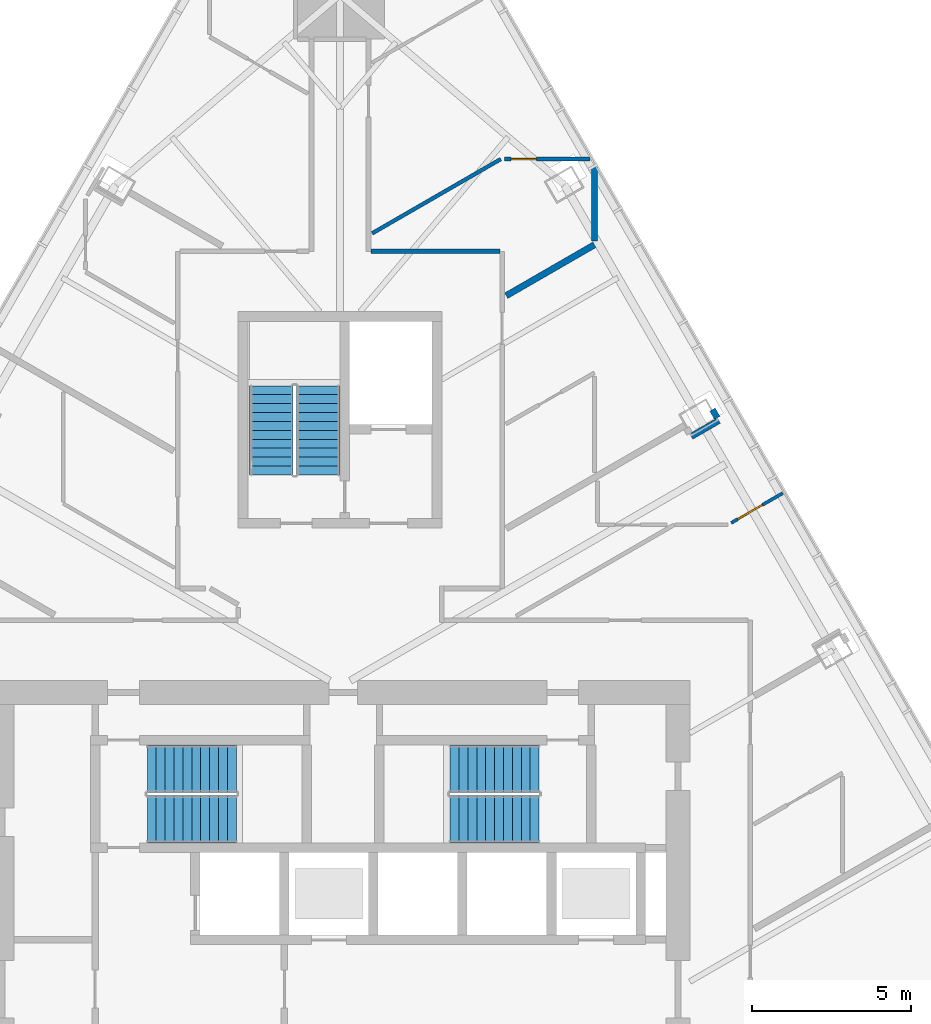
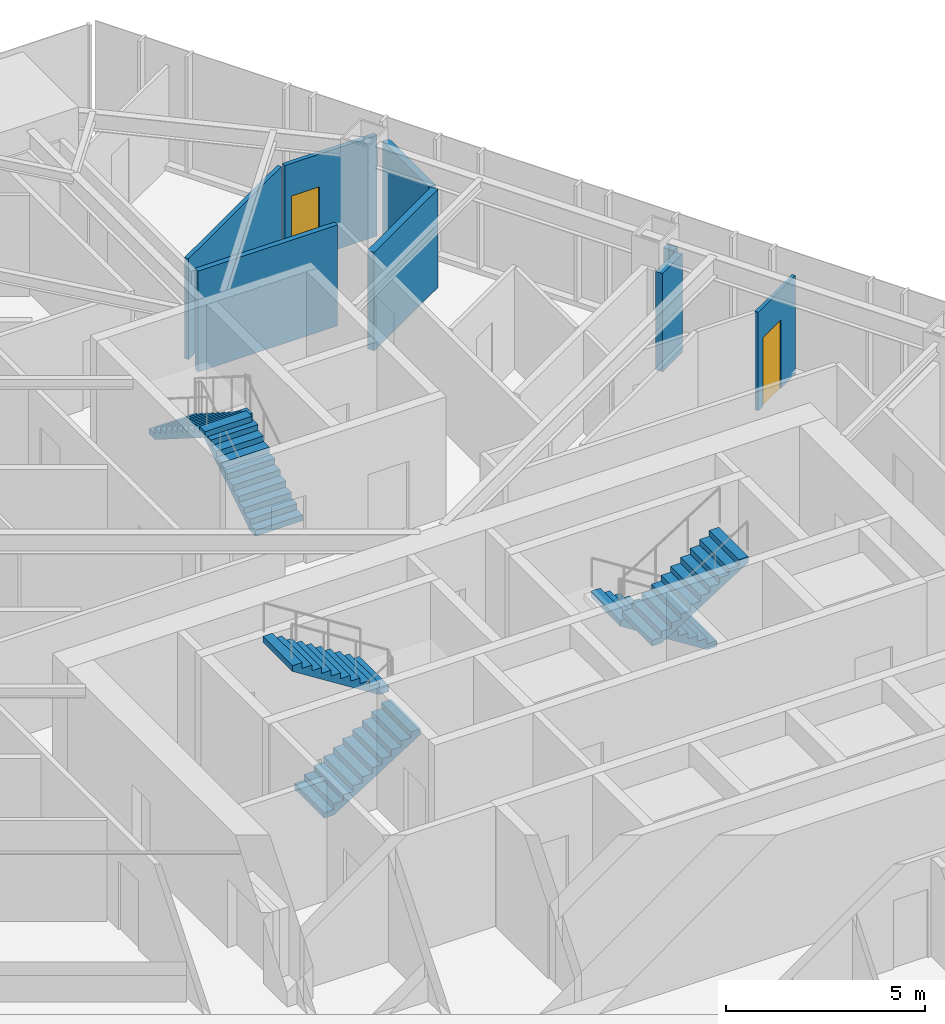
# One storey, part 17 of 19: 8 walls, 6 stair flights, 2 doors, 2 openings, 3 elements without a shape of their own.
"""IFC4 building model written with IfcOpenShell, lengths in metres."""

from ifc_helpers import new_model, si_unit, direction, frame, frame_2d, origin, place, context, subcontext, project, spatial, polyline, rectangle, outline, extrude, material, layer, layer_set, type_object, element, fill, aggregate, save


model = new_model("IFC4")

# Units and contexts
model_context = context("Model", 3, precision=1e-05, world=origin(), true_north=direction((0.0, 1.0)))
body_context = subcontext(model_context, "Body", "Model", "MODEL_VIEW")
ifc_project = project(units=[si_unit("LENGTHUNIT", "METRE"), si_unit("AREAUNIT", "SQUARE_METRE"), si_unit("VOLUMEUNIT", "CUBIC_METRE"), si_unit("PLANEANGLEUNIT", "RADIAN"), si_unit("MASSUNIT", "GRAM", prefix="KILO")], contexts=[model_context])

# Site, building, storey
site_placement = place(None, origin())
site = spatial("IfcSite", under=ifc_project, at=site_placement, CompositionType="ELEMENT")
building_placement = place(site_placement, origin())
building = spatial("IfcBuilding", under=site, at=building_placement, Name="Firuza Gate Tower and Library", CompositionType="ELEMENT")
storey_placement = place(building_placement, frame((0.0, 0.0, 210.39990234375)))
storey = spatial("IfcBuildingStorey", under=building, at=storey_placement, Name="L49", CompositionType="ELEMENT", Elevation=210.39990234375)

# Walls
ifc_material_1 = material(Name="Gypsum board partition")
ifc_layer_1 = layer(ifc_material_1, 0.14990234375)
ifc_layer_set_1 = layer_set([ifc_layer_1], Name="Corridor wall 150 double board on steel studs")
wall_type_1 = type_object("IfcWallType", Name="Corridor wall 150 double board on steel studs", PredefinedType="PARTITIONING", material=ifc_layer_set_1)
wall_1_placement = place(storey_placement, frame((75.97509765625, 96.5, 0.0), z_axis=(0.0, 0.0, 1.0), x_axis=(1.0, 0.0, 0.0)))
element("IfcWall", 1, at=wall_1_placement, inside=storey, type_object=wall_type_1, Name="f:L49:w015", PredefinedType="PARTITIONING", context=body_context, shape_type="SweptSolid", body=[
    extrude(rectangle(XDim=4.04931640625, YDim=0.14990234375, at=frame_2d((2.024658203125, 0.0))), origin(), (0.0, 0.0, 1.0), 3.10009765625),
])
ifc_material_2 = material(Name="Gypsum board partition")
ifc_layer_2 = layer(ifc_material_2, 0.199951171875)
ifc_layer_set_2 = layer_set([ifc_layer_2], Name="Demising wall 200 acoustic double stud")
wall_type_2 = type_object("IfcWallType", Name="Demising wall 200 acoustic double stud", PredefinedType="PARTITIONING", material=ifc_layer_set_2)
wall_2_placement = place(storey_placement, frame((86.04345703125, 90.67822265625, 0.0), z_axis=(0.0, 0.0, 1.0), x_axis=(0.866039090965, 0.499976292358, 0.0)))
element("IfcWall", 2, at=wall_2_placement, inside=storey, type_object=wall_type_2, Name="f:L49:w037", PredefinedType="PARTITIONING", context=body_context, shape_type="SweptSolid", body=[
    extrude(rectangle(XDim=0.9990234375, YDim=0.199951171875, at=frame_2d((0.49951171875, 0.0))), origin(), (0.0, 0.0, 1.0), 3.022216796875),
])
wall_3_placement = place(storey_placement, frame((80.22705078125, 95.10400390625, 0.0), z_axis=(0.0, 0.0, 1.0), x_axis=(0.866029421769, 0.499993040581, 0.0)))
element("IfcWall", 3, at=wall_3_placement, inside=storey, type_object=wall_type_2, Name="f:L49:w040", PredefinedType="PARTITIONING", context=body_context, shape_type="SweptSolid", body=[
    extrude(rectangle(XDim=3.2021484375, YDim=0.199951171875, at=frame_2d((1.60107421875, 0.0))), origin(), (0.0, 0.0, 1.0), 3.022216796875),
])
wall_4_placement = place(storey_placement, frame((83.0, 96.82080078125, 0.0), z_axis=(0.0, 0.0, 1.0), x_axis=(0.0, 1.0, 0.0)))
element("IfcWall", 4, at=wall_4_placement, inside=storey, type_object=wall_type_2, Name="f:L49:w061", PredefinedType="PARTITIONING", context=body_context, shape_type="SweptSolid", body=[
    extrude(rectangle(XDim=2.327880859375, YDim=0.199951171875, at=frame_2d((1.1640625, 0.0))), origin(), (0.0, 0.0, 1.0), 3.022216796875),
])
wall_5_placement = place(storey_placement, frame((86.858642578125, 91.264404296875, 0.0), z_axis=(0.0, 0.0, 1.0), x_axis=(-0.500264001326, 0.865872928886, 0.0)))
element("IfcWall", 5, at=wall_5_placement, inside=storey, type_object=wall_type_2, Name="f:L49:w089", PredefinedType="PARTITIONING", context=body_context, shape_type="SweptSolid", body=[
    extrude(rectangle(XDim=0.299072265625, YDim=0.199951171875, at=frame_2d((0.1494140625, 0.0))), origin(), (0.0, 0.0, 1.0), 3.10009765625),
])

# Wall, opening, door
ifc_material_3 = material(Name="Gypsum board partition")
ifc_layer_3 = layer(ifc_material_3, 0.10009765625)
ifc_layer_set_3 = layer_set([ifc_layer_3], Name="Partition 100 gypsum board on steel studs")
wall_type_3 = type_object("IfcWallType", Name="Partition 100 gypsum board on steel studs", PredefinedType="PARTITIONING", material=ifc_layer_set_3)
wall_6_placement = place(storey_placement, frame((87.30078125, 87.959716796875, 0.0), z_axis=(0.0, 0.0, 1.0), x_axis=(0.866000772924, 0.500042659475, 0.0)))
wall_6 = element("IfcWall", 6, at=wall_6_placement, inside=storey, type_object=wall_type_3, Name="f:L49:w035", PredefinedType="PARTITIONING", context=body_context, shape_type="SweptSolid", body=[
    extrude(rectangle(XDim=1.869873046875, YDim=0.10009765625, at=frame_2d((0.93505859375, 0.0))), origin(), (0.0, 0.0, 1.0), 3.022216796875),
])
opening_1_placement = place(wall_6_placement, frame((0.23486328125, 0.0, 0.0)))
opening_1 = element("IfcOpeningElement", 7, at=opening_1_placement, cuts=wall_6, Name="Opening L49-27", PredefinedType="OPENING", context=body_context, shape_type="SweptSolid", body=[
    extrude(rectangle(XDim=0.89990234375, YDim=2.10009765625, at=frame_2d((0.449951171875, 1.050048828125))), frame((0.0, 0.06005859375, 0.0), z_axis=(0.0, -1.0, 0.0), x_axis=(1.0, 0.0, 0.0)), (0.0, 0.0, 1.0), 0.1201171875),
])
ifc_material_4 = material(Name="Timber door", Category="wood")
door_type_1 = type_object("IfcDoorType", Name="Door 900 x 2100 timber leaf", OperationType="NOTDEFINED", PredefinedType="DOOR", material=ifc_material_4)
door_1_placement = place(opening_1_placement, origin())
door_1 = element("IfcDoor", 8, at=door_1_placement, inside=storey, type_object=door_type_1, Name="f:L49:d027", OperationType="SINGLE_SWING_LEFT", OverallHeight=2.10009765625, OverallWidth=0.89990234375, PredefinedType="DOOR", context=body_context, shape_type="SweptSolid", body=[
    extrude(rectangle(XDim=0.89990234375, YDim=2.10009765625, at=frame_2d((0.449951171875, 1.050048828125))), frame((0.0, 0.02490234375, 0.0), z_axis=(0.0, -1.0, 0.0), x_axis=(1.0, 0.0, 0.0)), (0.0, 0.0, 1.0), 0.050048828125),
])
fill(opening_1, door_1)

ifc_material_5 = material(Name="Gypsum board partition")
ifc_layer_4 = layer(ifc_material_5, 0.1201171875)
ifc_layer_set_4 = layer_set([ifc_layer_4], Name="Wet-area partition 120 moisture-resistant board")
wall_type_4 = type_object("IfcWallType", Name="Wet-area partition 120 moisture-resistant board", PredefinedType="PARTITIONING", material=ifc_layer_set_4)
wall_7_placement = place(storey_placement, frame((82.85498046875, 99.39990234375, 0.0), z_axis=(0.0, 0.0, 1.0), x_axis=(-1.0, 0.0, 0.0)))
wall_7 = element("IfcWall", 9, at=wall_7_placement, inside=storey, type_object=wall_type_4, Name="f:L49:w016", PredefinedType="PARTITIONING", context=body_context, shape_type="SweptSolid", body=[
    extrude(rectangle(XDim=2.677734375, YDim=0.1201171875, at=frame_2d((1.3388671875, 0.0))), origin(), (0.0, 0.0, 1.0), 3.10009765625),
])
opening_2_placement = place(wall_7_placement, frame((1.677490234375, 0.0, 0.0)))
opening_2 = element("IfcOpeningElement", 10, at=opening_2_placement, cuts=wall_7, Name="Opening L49-15", PredefinedType="OPENING", context=body_context, shape_type="SweptSolid", body=[
    extrude(rectangle(XDim=0.800048828125, YDim=2.10009765625, at=frame_2d((0.39990234375, 1.050048828125))), frame((0.0, 0.070068359375, 0.0), z_axis=(0.0, -1.0, 0.0), x_axis=(1.0, 0.0, 0.0)), (0.0, 0.0, 1.0), 0.14013671875),
])
ifc_material_6 = material(Name="Timber door", Category="wood")
door_type_2 = type_object("IfcDoorType", Name="Door 800 x 2100 timber leaf", OperationType="NOTDEFINED", PredefinedType="DOOR", material=ifc_material_6)
door_2_placement = place(opening_2_placement, origin())
door_2 = element("IfcDoor", 11, at=door_2_placement, inside=storey, type_object=door_type_2, Name="f:L49:d015", OperationType="SINGLE_SWING_LEFT", OverallHeight=2.10009765625, OverallWidth=0.800048828125, PredefinedType="DOOR", context=body_context, shape_type="SweptSolid", body=[
    extrude(rectangle(XDim=0.800048828125, YDim=2.10009765625, at=frame_2d((0.39990234375, 1.050048828125))), frame((0.0, 0.02490234375, 0.0), z_axis=(0.0, -1.0, 0.0), x_axis=(1.0, 0.0, 0.0)), (0.0, 0.0, 1.0), 0.050048828125),
])
fill(opening_2, door_2)

# Wall
wall_8_placement = place(storey_placement, frame((76.009765625, 97.06298828125, 0.0), z_axis=(0.0, 0.0, 1.0), x_axis=(0.866045536992, 0.499965126639, 0.0)))
element("IfcWall", 12, at=wall_8_placement, inside=storey, type_object=wall_type_4, Name="f:L49:w041", PredefinedType="PARTITIONING", context=body_context, shape_type="SweptSolid", body=[
    extrude(rectangle(XDim=4.673583984375, YDim=0.1201171875, at=frame_2d((2.3369140625, 0.0))), origin(), (0.0, 0.0, 1.0), 3.10009765625),
])

# Stair, stair flights
ifc_material_7 = material(Name="Concrete C35/45", Category="concrete")
stair_type_1 = type_object("IfcStairType", Name="Exit stair ST16", PredefinedType="HALF_TURN_STAIR", material=ifc_material_7)
placement = place(storey_placement, origin())
stair_1 = element("IfcStair", 13, at=placement, inside=storey, type_object=stair_type_1, Name="L49 Stair ST3", PredefinedType="HALF_TURN_STAIR")
ifc_material_8 = material(Name="Concrete C35/45", Category="concrete")
stair_flight_type_1 = type_object("IfcStairFlightType", Name="Stair flight 11 risers 177.3 width 1370", PredefinedType="STRAIGHT", material=ifc_material_8)
stair_flight_1_placement = place(storey_placement, frame((74.31494140625, 89.469970703125, 0.0), z_axis=(0.0, 0.0, 1.0), x_axis=(0.0, 1.0, 0.0)))
stair_flight_1 = element("IfcStairFlight", 14, at=stair_flight_1_placement, type_object=stair_flight_type_1, Name="ST3 flight 1", NumberOfRisers=11, NumberOfTreads=10, PredefinedType="STRAIGHT", RiserHeight=0.177272727, TreadLength=0.28, context=body_context, shape_type="SweptSolid", body=[
    extrude(outline(polyline([(0.0, 0.0), (0.0, 0.17724609375), (0.280029296875, 0.17724609375), (0.280029296875, 0.3544921875), (0.56005859375, 0.3544921875), (0.56005859375, 0.53173828125), (0.840087890625, 0.53173828125), (0.840087890625, 0.708984375), (1.1201171875, 0.708984375), (1.1201171875, 0.886474609375), (1.39990234375, 0.886474609375), (1.39990234375, 1.063720703125), (1.679931640625, 1.063720703125), (1.679931640625, 1.240966796875), (1.9599609375, 1.240966796875), (1.9599609375, 1.418212890625), (2.239990234375, 1.418212890625), (2.239990234375, 1.595458984375), (2.52001953125, 1.595458984375), (2.52001953125, 1.772705078125), (2.800048828125, 1.772705078125), (2.800048828125, 1.949951171875), (2.800048828125, 1.59521484375), (0.2802734375, 0.0), (0.0, 0.0)])), frame((0.0, 0.68505859375, 0.0), z_axis=(0.0, -1.0, 0.0), x_axis=(1.0, 0.0, 0.0)), (0.0, 0.0, 1.0), 1.3701171875),
])
stair_flight_2_placement = place(storey_placement, frame((72.844970703125, 92.27001953125, 1.9501953125), z_axis=(0.0, 0.0, 1.0), x_axis=(0.0, -1.0, 0.0)))
stair_flight_2 = element("IfcStairFlight", 15, at=stair_flight_2_placement, type_object=stair_flight_type_1, Name="ST3 flight 2", NumberOfRisers=11, NumberOfTreads=10, PredefinedType="STRAIGHT", RiserHeight=0.177272727, TreadLength=0.28, context=body_context, shape_type="SweptSolid", body=[
    extrude(outline(polyline([(0.0, 0.0), (0.0, 0.17724609375), (0.280029296875, 0.17724609375), (0.280029296875, 0.3544921875), (0.56005859375, 0.3544921875), (0.56005859375, 0.53173828125), (0.840087890625, 0.53173828125), (0.840087890625, 0.708984375), (1.1201171875, 0.708984375), (1.1201171875, 0.886474609375), (1.39990234375, 0.886474609375), (1.39990234375, 1.063720703125), (1.679931640625, 1.063720703125), (1.679931640625, 1.240966796875), (1.9599609375, 1.240966796875), (1.9599609375, 1.418212890625), (2.239990234375, 1.418212890625), (2.239990234375, 1.595458984375), (2.52001953125, 1.595458984375), (2.52001953125, 1.772705078125), (2.800048828125, 1.772705078125), (2.800048828125, 1.949951171875), (2.800048828125, 1.59521484375), (0.2802734375, 0.0), (0.0, 0.0)])), frame((0.0, 0.68505859375, 0.0), z_axis=(0.0, -1.0, 0.0), x_axis=(1.0, 0.0, 0.0)), (0.0, 0.0, 1.0), 1.3701171875),
])
aggregate(stair_1, [stair_flight_1, stair_flight_2])

ifc_material_9 = material(Name="Concrete C35/45", Category="concrete")
stair_type_2 = type_object("IfcStairType", Name="Exit stair ST7", PredefinedType="HALF_TURN_STAIR", material=ifc_material_9)
stair_2 = element("IfcStair", 16, at=placement, inside=storey, type_object=stair_type_2, Name="L49 Stair ST1", PredefinedType="HALF_TURN_STAIR")
ifc_material_10 = material(Name="Concrete C35/45", Category="concrete")
stair_flight_type_2 = type_object("IfcStairFlightType", Name="Stair flight 11 risers 177.3 width 1490", PredefinedType="STRAIGHT", material=ifc_material_10)
stair_flight_3_placement = place(storey_placement, frame((68.93994140625, 78.64501953125, 0.0), z_axis=(0.0, 0.0, 1.0), x_axis=(1.0, 0.0, 0.0)))
stair_flight_3 = element("IfcStairFlight", 17, at=stair_flight_3_placement, type_object=stair_flight_type_2, Name="ST1 flight 1", NumberOfRisers=11, NumberOfTreads=10, PredefinedType="STRAIGHT", RiserHeight=0.177272727, TreadLength=0.28, context=body_context, shape_type="SweptSolid", body=[
    extrude(outline(polyline([(0.0, 0.0), (0.0, 0.17724609375), (0.280029296875, 0.17724609375), (0.280029296875, 0.3544921875), (0.56005859375, 0.3544921875), (0.56005859375, 0.53173828125), (0.840087890625, 0.53173828125), (0.840087890625, 0.708984375), (1.1201171875, 0.708984375), (1.1201171875, 0.886474609375), (1.39990234375, 0.886474609375), (1.39990234375, 1.063720703125), (1.679931640625, 1.063720703125), (1.679931640625, 1.240966796875), (1.9599609375, 1.240966796875), (1.9599609375, 1.418212890625), (2.239990234375, 1.418212890625), (2.239990234375, 1.595458984375), (2.52001953125, 1.595458984375), (2.52001953125, 1.772705078125), (2.800048828125, 1.772705078125), (2.800048828125, 1.949951171875), (2.800048828125, 1.59521484375), (0.2802734375, 0.0), (0.0, 0.0)])), frame((0.0, 0.7451171875, 0.0), z_axis=(0.0, -1.0, 0.0), x_axis=(1.0, 0.0, 0.0)), (0.0, 0.0, 1.0), 1.489990234375),
])
stair_flight_4_placement = place(storey_placement, frame((71.739990234375, 80.235107421875, 1.9501953125), z_axis=(0.0, 0.0, 1.0), x_axis=(-1.0, 0.0, 0.0)))
stair_flight_4 = element("IfcStairFlight", 18, at=stair_flight_4_placement, type_object=stair_flight_type_2, Name="ST1 flight 2", NumberOfRisers=11, NumberOfTreads=10, PredefinedType="STRAIGHT", RiserHeight=0.177272727, TreadLength=0.28, context=body_context, shape_type="SweptSolid", body=[
    extrude(outline(polyline([(0.0, 0.0), (0.0, 0.17724609375), (0.280029296875, 0.17724609375), (0.280029296875, 0.3544921875), (0.56005859375, 0.3544921875), (0.56005859375, 0.53173828125), (0.840087890625, 0.53173828125), (0.840087890625, 0.708984375), (1.1201171875, 0.708984375), (1.1201171875, 0.886474609375), (1.39990234375, 0.886474609375), (1.39990234375, 1.063720703125), (1.679931640625, 1.063720703125), (1.679931640625, 1.240966796875), (1.9599609375, 1.240966796875), (1.9599609375, 1.418212890625), (2.239990234375, 1.418212890625), (2.239990234375, 1.595458984375), (2.52001953125, 1.595458984375), (2.52001953125, 1.772705078125), (2.800048828125, 1.772705078125), (2.800048828125, 1.949951171875), (2.800048828125, 1.59521484375), (0.2802734375, 0.0), (0.0, 0.0)])), frame((0.0, 0.7451171875, 0.0), z_axis=(0.0, -1.0, 0.0), x_axis=(1.0, 0.0, 0.0)), (0.0, 0.0, 1.0), 1.489990234375),
])
aggregate(stair_2, [stair_flight_3, stair_flight_4])

stair_3 = element("IfcStair", 19, at=placement, inside=storey, type_object=stair_type_2, Name="L49 Stair ST2", PredefinedType="HALF_TURN_STAIR")
stair_flight_5_placement = place(storey_placement, frame((81.260009765625, 80.235107421875, 0.0), z_axis=(0.0, 0.0, 1.0), x_axis=(-1.0, 0.0, 0.0)))
stair_flight_5 = element("IfcStairFlight", 20, at=stair_flight_5_placement, type_object=stair_flight_type_2, Name="ST2 flight 1", NumberOfRisers=11, NumberOfTreads=10, PredefinedType="STRAIGHT", RiserHeight=0.177272727, TreadLength=0.28, context=body_context, shape_type="SweptSolid", body=[
    extrude(outline(polyline([(0.0, 0.0), (0.0, 0.17724609375), (0.280029296875, 0.17724609375), (0.280029296875, 0.3544921875), (0.56005859375, 0.3544921875), (0.56005859375, 0.53173828125), (0.840087890625, 0.53173828125), (0.840087890625, 0.708984375), (1.1201171875, 0.708984375), (1.1201171875, 0.886474609375), (1.39990234375, 0.886474609375), (1.39990234375, 1.063720703125), (1.679931640625, 1.063720703125), (1.679931640625, 1.240966796875), (1.9599609375, 1.240966796875), (1.9599609375, 1.418212890625), (2.239990234375, 1.418212890625), (2.239990234375, 1.595458984375), (2.52001953125, 1.595458984375), (2.52001953125, 1.772705078125), (2.800048828125, 1.772705078125), (2.800048828125, 1.949951171875), (2.800048828125, 1.59521484375), (0.2802734375, 0.0), (0.0, 0.0)])), frame((0.0, 0.7451171875, 0.0), z_axis=(0.0, -1.0, 0.0), x_axis=(1.0, 0.0, 0.0)), (0.0, 0.0, 1.0), 1.489990234375),
])
stair_flight_6_placement = place(storey_placement, frame((78.4599609375, 78.64501953125, 1.9501953125), z_axis=(0.0, 0.0, 1.0), x_axis=(1.0, 0.0, 0.0)))
stair_flight_6 = element("IfcStairFlight", 21, at=stair_flight_6_placement, type_object=stair_flight_type_2, Name="ST2 flight 2", NumberOfRisers=11, NumberOfTreads=10, PredefinedType="STRAIGHT", RiserHeight=0.177272727, TreadLength=0.28, context=body_context, shape_type="SweptSolid", body=[
    extrude(outline(polyline([(0.0, 0.0), (0.0, 0.17724609375), (0.280029296875, 0.17724609375), (0.280029296875, 0.3544921875), (0.56005859375, 0.3544921875), (0.56005859375, 0.53173828125), (0.840087890625, 0.53173828125), (0.840087890625, 0.708984375), (1.1201171875, 0.708984375), (1.1201171875, 0.886474609375), (1.39990234375, 0.886474609375), (1.39990234375, 1.063720703125), (1.679931640625, 1.063720703125), (1.679931640625, 1.240966796875), (1.9599609375, 1.240966796875), (1.9599609375, 1.418212890625), (2.239990234375, 1.418212890625), (2.239990234375, 1.595458984375), (2.52001953125, 1.595458984375), (2.52001953125, 1.772705078125), (2.800048828125, 1.772705078125), (2.800048828125, 1.949951171875), (2.800048828125, 1.59521484375), (0.2802734375, 0.0), (0.0, 0.0)])), frame((0.0, 0.7451171875, 0.0), z_axis=(0.0, -1.0, 0.0), x_axis=(1.0, 0.0, 0.0)), (0.0, 0.0, 1.0), 1.489990234375),
])
aggregate(stair_3, [stair_flight_5, stair_flight_6])

save(model, "model.ifc")
